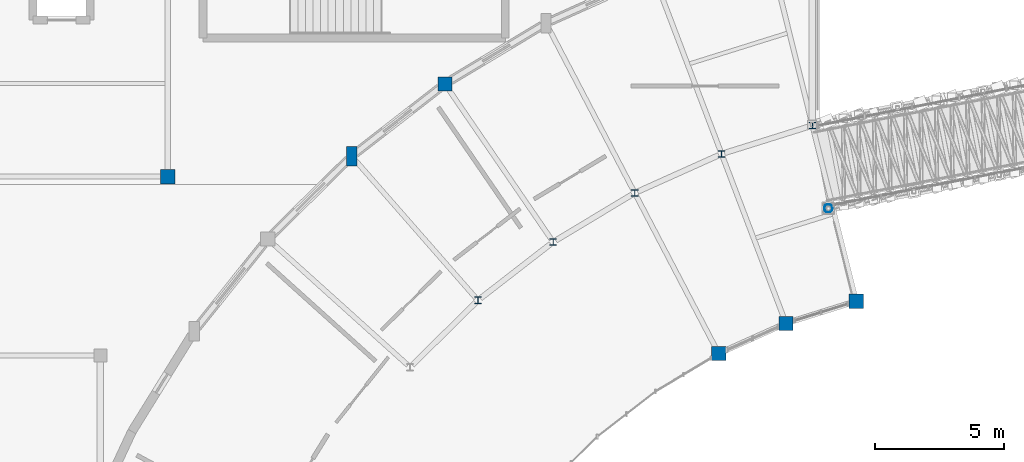
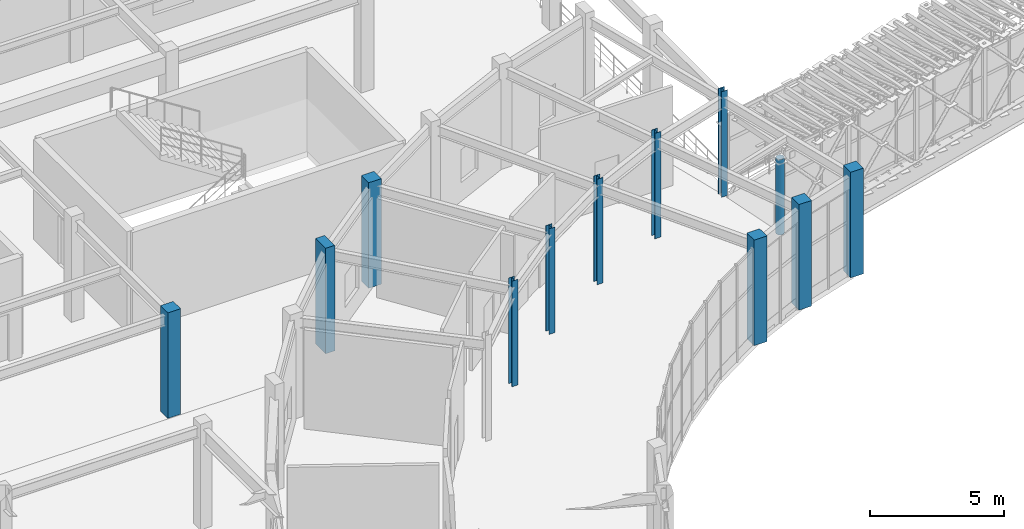
# One storey, part 14 of 144: 12 columns.
"""IFC4 building model written with IfcOpenShell, lengths in metres."""

from ifc_helpers import new_model, si_unit, direction, frame, origin, origin_2d, place, context, subcontext, project, spatial, rectangle, hollow_circle, i_section, extrude, material, material_profile, profile_set, type_object, element, save


model = new_model("IFC4")

# Units and contexts
model_context = context("Model", 3, precision=1e-05, world=origin(), true_north=direction((0.0, 1.0)))
body_context = subcontext(model_context, "Body", "Model", "MODEL_VIEW")
ifc_project = project(units=[si_unit("LENGTHUNIT", "METRE"), si_unit("AREAUNIT", "SQUARE_METRE"), si_unit("VOLUMEUNIT", "CUBIC_METRE"), si_unit("PLANEANGLEUNIT", "RADIAN"), si_unit("MASSUNIT", "GRAM", prefix="KILO")], contexts=[model_context])

# Site, building, storey
site_placement = place(None, origin())
site = spatial("IfcSite", under=ifc_project, at=site_placement, CompositionType="ELEMENT")
building_placement = place(site_placement, origin())
building = spatial("IfcBuilding", under=site, at=building_placement, Name="Cinderbank Siding Concert Hall", CompositionType="ELEMENT")
storey_placement = place(building_placement, frame((0.0, 0.0, 5.39990234375)))
storey = spatial("IfcBuildingStorey", under=building, at=storey_placement, Name="L02", CompositionType="ELEMENT", Elevation=5.39990234375)

# Columns
ifc_material_1 = material(Name="Structural steel hollow section AS/NZS 1163 Grade C350L0 (350 MPa)", Category="steel")
ifc_material_profile_1 = material_profile(ifc_material_1, hollow_circle(Radius=0.161865234375, WallThickness=0.0126953125, at=origin_2d()), Name="323.9x12.7CHS", Category="LoadBearing")
ifc_profile_set_1 = profile_set([ifc_material_profile_1], Name="Structural steel hollow section AS/NZS 1163 Grade C350L0 (350 MPa)")
column_type_1 = type_object("IfcColumnType", Name="C-CHS323 323.9x12.7CHS", PredefinedType="COLUMN", material=ifc_profile_set_1)
column_1_placement = place(storey_placement, frame((49.114990234375, 94.8798828125, 0.0), z_axis=(0.0, 0.0, 1.0), x_axis=(1.0, 0.0, 0.0)))
element("IfcColumn", 1, at=column_1_placement, inside=storey, type_object=column_type_1, Name="L02 Column COL-BRR-00", PredefinedType="COLUMN", context=body_context, shape_type="SweptSolid", body=[
    extrude(hollow_circle(Radius=0.161865234375, WallThickness=0.0126953125, at=origin_2d()), origin(), (0.0, 0.0, 1.0), 3.43017578125),
])
ifc_material_2 = material(Name="Reinforced concrete AS 3600 N50 (50 MPa)", Category="concrete")
ifc_material_profile_2 = material_profile(ifc_material_2, rectangle(XDim=0.550048828125, YDim=0.550048828125, at=origin_2d()), Name="RC-COL-550x550", Category="LoadBearing")
ifc_profile_set_2 = profile_set([ifc_material_profile_2], Name="Reinforced concrete AS 3600 N50 (50 MPa)")
column_type_2 = type_object("IfcColumnType", Name="C-RC550 RC-COL-550x550", PredefinedType="COLUMN", material=ifc_profile_set_2)
for number, where, z_axis, x_axis, name in (
    (2, (50.194091796875, 91.287109375, 0.0), (0.0, 0.0, 1.0), (1.0, 0.0, 0.0), "L02 Column COL-WIN-01"),
    (3, (47.47705078125, 90.43603515625, 0.0), (0.0, 0.0, 1.0), (1.0, 0.0, 0.0), "L02 Column COL-WIN-02"),
    (4, (44.881103515625, 89.26904296875, 0.0), (0.0, 0.0, 1.0), (1.0, 0.0, 0.0), "L02 Column COL-WIN-03"),
    (5, (34.304931640625, 99.68408203125, 0.0), (0.0, 0.0, 1.0), (1.0, 0.0, 0.0), "L02 Column COL-WOUT-04"),
    (6, (23.60009765625, 96.10009765625, 0.0), (0.0, 0.0, 1.0), (1.0, 0.0, 0.0), "L02 Column COL-NW-3-1"),
):
    element("IfcColumn", number, at=place(storey_placement, frame(where, z_axis=z_axis, x_axis=x_axis)), inside=storey, type_object=column_type_2, Name=name, PredefinedType="COLUMN", context=body_context, shape_type="SweptSolid", body=[
        extrude(rectangle(XDim=0.550048828125, YDim=0.550048828125, at=origin_2d()), origin(), (0.0, 0.0, 1.0), 4.800048828125),
    ])
ifc_material_3 = material(Name="Structural steel AS/NZS 3679.1 Grade 350 (340 MPa)", Category="steel")
ifc_material_profile_3 = material_profile(ifc_material_3, i_section(OverallWidth=0.256103515625, OverallDepth=0.260009765625, WebThickness=0.010498046875, FlangeThickness=0.017333984375, at=origin_2d()), Name="250UC89.5", Category="LoadBearing")
ifc_profile_set_3 = profile_set([ifc_material_profile_3], Name="Structural steel AS/NZS 3679.1 Grade 350 (340 MPa)")
column_type_3 = type_object("IfcColumnType", Name="C-UC250H 250UC89.5", PredefinedType="COLUMN", material=ifc_profile_set_3)
for number, where, z_axis, x_axis, name in (
    (7, (48.5, 98.0791015625, 0.0), (0.0, 0.0, 1.0), (1.0, 0.0, 0.0), "L02 Column COL-WMID-01"),
    (8, (44.991943359375, 96.97998046875, 0.0), (0.0, 0.0, 1.0), (1.0, 0.0, 0.0), "L02 Column COL-WMID-02"),
    (9, (41.637939453125, 95.471923828125, 0.0), (0.0, 0.0, 1.0), (1.0, 0.0, 0.0), "L02 Column COL-WMID-03"),
    (10, (38.486083984375, 93.5791015625, 0.0), (0.0, 0.0, 1.0), (1.0, 0.0, 0.0), "L02 Column COL-WMID-04"),
    (11, (35.5810546875, 91.324951171875, 0.0), (0.0, 0.0, 1.0), (1.0, 0.0, 0.0), "L02 Column COL-WMID-05"),
):
    element("IfcColumn", number, at=place(storey_placement, frame(where, z_axis=z_axis, x_axis=x_axis)), inside=storey, type_object=column_type_3, Name=name, PredefinedType="COLUMN", context=body_context, shape_type="SweptSolid", body=[
        extrude(i_section(OverallWidth=0.256103515625, OverallDepth=0.260009765625, WebThickness=0.010498046875, FlangeThickness=0.017333984375, at=origin_2d()), origin(), (0.0, 0.0, 1.0), 4.800048828125),
    ])
ifc_material_profile_4 = material_profile(ifc_material_2, rectangle(XDim=0.39990234375, YDim=0.75, at=origin_2d()), Name="RC-PIER-400x750", Category="LoadBearing")
ifc_profile_set_4 = profile_set([ifc_material_profile_4], Name="Reinforced concrete AS 3600 N50 (50 MPa)")
column_type_4 = type_object("IfcColumnType", Name="PL-RC750 RC-PIER-400x750", PredefinedType="PILASTER", material=ifc_profile_set_4)
column_2_placement = place(storey_placement, frame((30.7060546875, 96.89306640625, 0.0), z_axis=(0.0, 0.0, 1.0), x_axis=(1.0, 0.0, 0.0)))
element("IfcColumn", 12, at=column_2_placement, inside=storey, type_object=column_type_4, Name="L02 Column COL-WOUT-05", PredefinedType="PILASTER", context=body_context, shape_type="SweptSolid", body=[
    extrude(rectangle(XDim=0.39990234375, YDim=0.75, at=origin_2d()), origin(), (0.0, 0.0, 1.0), 4.800048828125),
])

save(model, "model.ifc")
